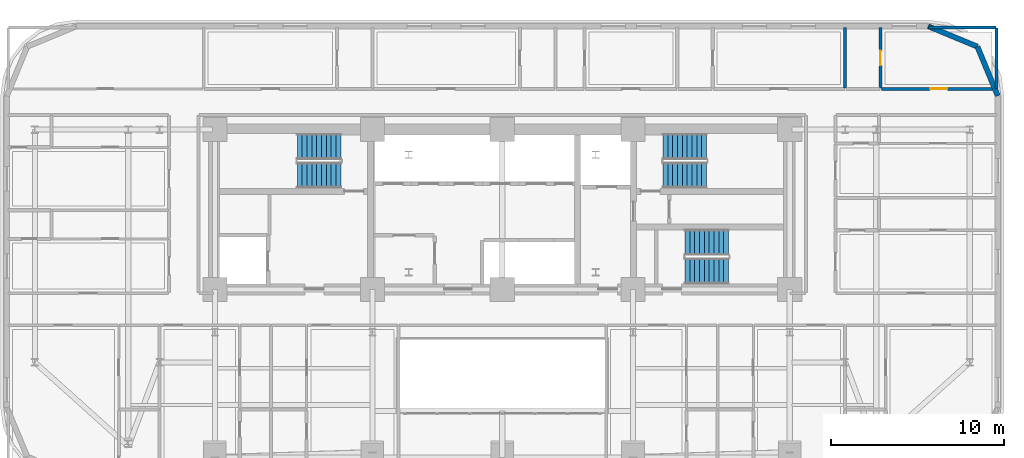
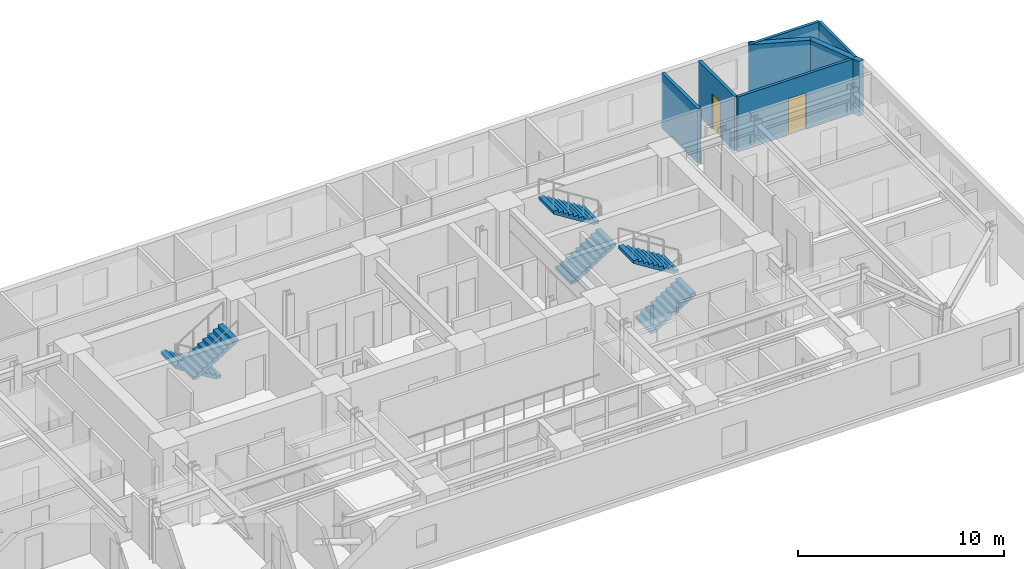
# One storey, part 13 of 16: 7 walls, 6 stair flights, 2 doors, 2 openings, 3 elements without a shape of their own.
"""IFC4 building model written with IfcOpenShell, lengths in metres."""

from ifc_helpers import new_model, si_unit, direction, frame, frame_2d, origin, place, context, subcontext, project, spatial, polyline, rectangle, outline, extrude, material, layer, layer_set, type_object, element, fill, aggregate, save


model = new_model("IFC4")

# Units and contexts
model_context = context("Model", 3, precision=1e-05, world=origin(), true_north=direction((0.0, 1.0)))
body_context = subcontext(model_context, "Body", "Model", "MODEL_VIEW")
ifc_project = project(units=[si_unit("LENGTHUNIT", "METRE"), si_unit("AREAUNIT", "SQUARE_METRE"), si_unit("VOLUMEUNIT", "CUBIC_METRE"), si_unit("PLANEANGLEUNIT", "RADIAN"), si_unit("MASSUNIT", "GRAM", prefix="KILO")], contexts=[model_context])

# Site, building, storey
site_placement = place(None, origin())
site = spatial("IfcSite", under=ifc_project, at=site_placement, CompositionType="ELEMENT")
building_placement = place(site_placement, origin())
building = spatial("IfcBuilding", under=site, at=building_placement, Name="Zarnavel Station Tower", CompositionType="ELEMENT")
storey_placement = place(building_placement, frame((0.0, 0.0, 86.300048828125)))
storey = spatial("IfcBuildingStorey", under=building, at=storey_placement, Name="L23", CompositionType="ELEMENT", Elevation=86.300048828125)

# Walls
ifc_material_1 = material(Name="Precast concrete C45/55 (Dark Basalt Finish)", Category="masonry")
ifc_layer_1 = layer(ifc_material_1, 0.300048828125)
ifc_layer_set_1 = layer_set([ifc_layer_1], Name="EW_BASALT_300")
wall_type_1 = type_object("IfcWallType", Name="EW_BASALT_300", PredefinedType="SOLIDWALL", material=ifc_layer_set_1)
wall_1_placement = place(storey_placement, frame((56.24267578125, 41.842529296875, 0.0), z_axis=(0.0, 0.0, 1.0), x_axis=(0.382636798336, -0.92389884758, 0.0)))
element("IfcWall", 1, at=wall_1_placement, inside=storey, type_object=wall_type_1, Name="L23 Exterior Basalt Masonry Frame Wall 04", PredefinedType="SOLIDWALL", context=body_context, shape_type="SweptSolid", body=[
    extrude(rectangle(XDim=3.07666015625, YDim=0.300048828125, at=frame_2d((1.538330078125, 0.0))), origin(), (0.0, 0.0, 1.0), 3.239990234375),
])
wall_2_placement = place(storey_placement, frame((53.39990234375, 43.02001953125, 0.0), z_axis=(0.0, 0.0, 1.0), x_axis=(0.923882414032, -0.382676475685, 0.0)))
element("IfcWall", 2, at=wall_2_placement, inside=storey, type_object=wall_type_1, Name="L23 Exterior Basalt Masonry Frame Wall 05", PredefinedType="SOLIDWALL", context=body_context, shape_type="SweptSolid", body=[
    extrude(rectangle(XDim=3.076904296875, YDim=0.300048828125, at=frame_2d((1.53857421875, 0.0))), origin(), (0.0, 0.0, 1.0), 3.239990234375),
])

# Wall, opening, door
ifc_material_2 = material(Name="Gypsum Twin-Stud Acoustic Fire Partition", Category="concrete")
ifc_layer_2 = layer(ifc_material_2, 0.159912109375)
ifc_layer_set_2 = layer_set([ifc_layer_2], Name="PT_DEMISE_160")
wall_type_2 = type_object("IfcWallType", Name="PT_DEMISE_160", PredefinedType="PARTITIONING", material=ifc_layer_set_2)
wall_3_placement = place(storey_placement, frame((50.68994140625, 39.39990234375, 0.0), z_axis=(0.0, 0.0, 1.0), x_axis=(1.0, 0.0, 0.0)))
wall_3 = element("IfcWall", 3, at=wall_3_placement, inside=storey, type_object=wall_type_2, Name="L23 Partition COR-N-HN5R", PredefinedType="PARTITIONING", context=body_context, shape_type="SweptSolid", body=[
    extrude(rectangle(XDim=6.650146484375, YDim=0.159912109375, at=frame_2d((3.3251953125, 0.0))), origin(), (0.0, 0.0, 1.0), 3.239990234375),
])
opening_1_placement = place(wall_3_placement, frame((2.824951171875, 0.0, 0.0)))
opening_1 = element("IfcOpeningElement", 4, at=opening_1_placement, cuts=wall_3, Name="Opening FD02", PredefinedType="OPENING", context=body_context, shape_type="SweptSolid", body=[
    extrude(rectangle(XDim=1.0, YDim=2.14990234375, at=frame_2d((0.5, 1.074951171875))), frame((0.0, 0.08984375, 0.0), z_axis=(0.0, -1.0, 0.0), x_axis=(1.0, 0.0, 0.0)), (0.0, 0.0, 1.0), 0.179931640625),
])
ifc_material_3 = material(Name="Painted Galvanised Steel and Hardwood Leaf", Category="steel")
door_type_1 = type_object("IfcDoorType", Name="ID_ENTRY_1000", OperationType="NOTDEFINED", PredefinedType="DOOR", material=ifc_material_3)
door_1_placement = place(opening_1_placement, origin())
door_1 = element("IfcDoor", 5, at=door_1_placement, inside=storey, type_object=door_type_1, Name="L23 Door COR-N-HN5R", OperationType="SINGLE_SWING_RIGHT", OverallHeight=2.14990234375, OverallWidth=1.0, PredefinedType="DOOR", context=body_context, shape_type="SweptSolid", body=[
    extrude(rectangle(XDim=1.0, YDim=2.14990234375, at=frame_2d((0.5, 1.074951171875))), frame((0.0, 0.02490234375, 0.0), z_axis=(0.0, -1.0, 0.0), x_axis=(1.0, 0.0, 0.0)), (0.0, 0.0, 1.0), 0.050048828125),
])
fill(opening_1, door_1)

# Walls
wall_4_placement = place(storey_placement, frame((53.429931640625, 42.93994140625, 0.0), z_axis=(0.0, 0.0, 1.0), x_axis=(1.0, 0.0, 0.0)))
element("IfcWall", 6, at=wall_4_placement, inside=storey, type_object=wall_type_2, Name="L23 Enclosure Wall HN5R", PredefinedType="PARTITIONING", context=body_context, shape_type="SweptSolid", body=[
    extrude(rectangle(XDim=3.880126953125, YDim=0.159912109375, at=frame_2d((1.93994140625, 0.0))), origin(), (0.0, 0.0, 1.0), 3.239990234375),
])
wall_5_placement = place(storey_placement, frame((57.340087890625, 39.429931640625, 0.0), z_axis=(0.0, 0.0, 1.0), x_axis=(0.0, 1.0, 0.0)))
element("IfcWall", 7, at=wall_5_placement, inside=storey, type_object=wall_type_2, Name="L23 Enclosure Wall HN5R", PredefinedType="PARTITIONING", context=body_context, shape_type="SweptSolid", body=[
    extrude(rectangle(XDim=3.47998046875, YDim=0.159912109375, at=frame_2d((1.739990234375, 0.0))), origin(), (0.0, 0.0, 1.0), 3.239990234375),
])
ifc_material_4 = material(Name="Moisture-Resistant Plumbing Chase Wall", Category="concrete")
ifc_layer_3 = layer(ifc_material_4, 0.179931640625)
ifc_layer_set_3 = layer_set([ifc_layer_3], Name="PW_PLUMB_180")
wall_type_3 = type_object("IfcWallType", Name="PW_PLUMB_180", PredefinedType="PLUMBINGWALL", material=ifc_layer_set_3)
wall_6_placement = place(storey_placement, frame((48.60009765625, 39.43994140625, 0.0), z_axis=(0.0, 0.0, 1.0), x_axis=(0.0, 1.0, 0.0)))
element("IfcWall", 8, at=wall_6_placement, inside=storey, type_object=wall_type_3, Name="L23 Partition HN4R-HN5B", PredefinedType="PLUMBINGWALL", context=body_context, shape_type="SweptSolid", body=[
    extrude(rectangle(XDim=3.5, YDim=0.179931640625, at=frame_2d((1.75, 0.0))), origin(), (0.0, 0.0, 1.0), 3.239990234375),
])

# Wall, opening, door
wall_7_placement = place(storey_placement, frame((50.64990234375, 39.43994140625, 0.0), z_axis=(0.0, 0.0, 1.0), x_axis=(0.0, 1.0, 0.0)))
wall_7 = element("IfcWall", 9, at=wall_7_placement, inside=storey, type_object=wall_type_3, Name="L23 Partition HN5R-HN5B", PredefinedType="PLUMBINGWALL", context=body_context, shape_type="SweptSolid", body=[
    extrude(rectangle(XDim=3.5, YDim=0.179931640625, at=frame_2d((1.75, 0.0))), origin(), (0.0, 0.0, 1.0), 3.239990234375),
])
opening_2_placement = place(wall_7_placement, frame((1.324951171875, 0.0, 0.0)))
opening_2 = element("IfcOpeningElement", 10, at=opening_2_placement, cuts=wall_7, Name="Opening ID02", PredefinedType="OPENING", context=body_context, shape_type="SweptSolid", body=[
    extrude(rectangle(XDim=0.85009765625, YDim=2.10009765625, at=frame_2d((0.425048828125, 1.050048828125))), frame((0.0, 0.099853515625, 0.0), z_axis=(0.0, -1.0, 0.0), x_axis=(1.0, 0.0, 0.0)), (0.0, 0.0, 1.0), 0.199951171875),
])
ifc_material_5 = material(Name="Painted Galvanised Steel and Hardwood Leaf", Category="steel")
door_type_2 = type_object("IfcDoorType", Name="ID_BATH_850", OperationType="NOTDEFINED", PredefinedType="DOOR", material=ifc_material_5)
door_2_placement = place(opening_2_placement, origin())
door_2 = element("IfcDoor", 11, at=door_2_placement, inside=storey, type_object=door_type_2, Name="L23 Door HN5R-HN5B", OperationType="SINGLE_SWING_LEFT", OverallHeight=2.10009765625, OverallWidth=0.85009765625, PredefinedType="DOOR", context=body_context, shape_type="SweptSolid", body=[
    extrude(rectangle(XDim=0.85009765625, YDim=2.10009765625, at=frame_2d((0.425048828125, 1.050048828125))), frame((0.0, 0.02490234375, 0.0), z_axis=(0.0, -1.0, 0.0), x_axis=(1.0, 0.0, 0.0)), (0.0, 0.0, 1.0), 0.050048828125),
])
fill(opening_2, door_2)

# Stair, stair flights
ifc_material_6 = material(Name="Concrete C45/55", Category="concrete")
stair_type = type_object("IfcStairType", Name="ST_CORE_150", PredefinedType="HALF_TURN_STAIR", material=ifc_material_6)
stair_1_placement = place(storey_placement, origin())
stair_1 = element("IfcStair", 12, at=stair_1_placement, inside=storey, type_object=stair_type, Name="L23 Core Exit Stair ST1", PredefinedType="HALF_TURN_STAIR")
ifc_material_7 = material(Name="Concrete C45/55", Category="concrete")
ifc_layer_4 = layer(ifc_material_7, 0.179931640625)
ifc_layer_set_4 = layer_set([ifc_layer_4], Name="ST_CORE_150_FLT")
stair_flight_type = type_object("IfcStairFlightType", Name="ST_CORE_150_FLT", PredefinedType="STRAIGHT", material=ifc_layer_set_4)
stair_flight_1_placement = place(storey_placement, frame((19.47998046875, 36.070068359375, 0.0), z_axis=(0.0, 0.0, 1.0), x_axis=(-1.0, 0.0, 0.0)))
stair_flight_1 = element("IfcStairFlight", 13, at=stair_flight_1_placement, type_object=stair_flight_type, Name="ST1 flight 1", NumberOfRisers=10, NumberOfTreads=9, PredefinedType="STRAIGHT", RiserHeight=0.175, TreadLength=0.28, context=body_context, shape_type="SweptSolid", body=[
    extrude(outline(polyline([(0.0, 0.0), (0.0, 0.175048828125), (0.280029296875, 0.175048828125), (0.280029296875, 0.35009765625), (0.56005859375, 0.35009765625), (0.56005859375, 0.52490234375), (0.840087890625, 0.52490234375), (0.840087890625, 0.699951171875), (1.1201171875, 0.699951171875), (1.1201171875, 0.875), (1.39990234375, 0.875), (1.39990234375, 1.050048828125), (1.679931640625, 1.050048828125), (1.679931640625, 1.22509765625), (1.9599609375, 1.22509765625), (1.9599609375, 1.39990234375), (2.239990234375, 1.39990234375), (2.239990234375, 1.574951171875), (2.52001953125, 1.574951171875), (2.52001953125, 1.75), (2.52001953125, 1.398193359375), (0.28271484375, 0.0), (0.0, 0.0)])), frame((0.0, 0.75, 0.0), z_axis=(0.0, -1.0, 0.0), x_axis=(1.0, 0.0, 0.0)), (0.0, 0.0, 1.0), 1.5),
])
stair_flight_2_placement = place(storey_placement, frame((16.9599609375, 34.409912109375, 1.75), z_axis=(0.0, 0.0, 1.0), x_axis=(1.0, 0.0, 0.0)))
stair_flight_2 = element("IfcStairFlight", 14, at=stair_flight_2_placement, type_object=stair_flight_type, Name="ST1 flight 2", NumberOfRisers=10, NumberOfTreads=9, PredefinedType="STRAIGHT", RiserHeight=0.175, TreadLength=0.28, context=body_context, shape_type="SweptSolid", body=[
    extrude(outline(polyline([(0.0, 0.0), (0.0, 0.175048828125), (0.280029296875, 0.175048828125), (0.280029296875, 0.35009765625), (0.56005859375, 0.35009765625), (0.56005859375, 0.52490234375), (0.840087890625, 0.52490234375), (0.840087890625, 0.699951171875), (1.1201171875, 0.699951171875), (1.1201171875, 0.875), (1.39990234375, 0.875), (1.39990234375, 1.050048828125), (1.679931640625, 1.050048828125), (1.679931640625, 1.22509765625), (1.9599609375, 1.22509765625), (1.9599609375, 1.39990234375), (2.239990234375, 1.39990234375), (2.239990234375, 1.574951171875), (2.52001953125, 1.574951171875), (2.52001953125, 1.75), (2.52001953125, 1.398193359375), (0.28271484375, 0.0), (0.0, 0.0)])), frame((0.0, 0.75, 0.0), z_axis=(0.0, -1.0, 0.0), x_axis=(1.0, 0.0, 0.0)), (0.0, 0.0, 1.0), 1.5),
])
aggregate(stair_1, [stair_flight_1, stair_flight_2])

stair_2_placement = place(storey_placement, origin())
stair_2 = element("IfcStair", 15, at=stair_2_placement, inside=storey, type_object=stair_type, Name="L23 Core Exit Stair ST2", PredefinedType="HALF_TURN_STAIR")
stair_flight_3_placement = place(storey_placement, frame((38.080078125, 34.409912109375, 0.0), z_axis=(0.0, 0.0, 1.0), x_axis=(1.0, 0.0, 0.0)))
stair_flight_3 = element("IfcStairFlight", 16, at=stair_flight_3_placement, type_object=stair_flight_type, Name="ST2 flight 1", NumberOfRisers=10, NumberOfTreads=9, PredefinedType="STRAIGHT", RiserHeight=0.175, TreadLength=0.28, context=body_context, shape_type="SweptSolid", body=[
    extrude(outline(polyline([(0.0, 0.0), (0.0, 0.175048828125), (0.280029296875, 0.175048828125), (0.280029296875, 0.35009765625), (0.56005859375, 0.35009765625), (0.56005859375, 0.52490234375), (0.840087890625, 0.52490234375), (0.840087890625, 0.699951171875), (1.1201171875, 0.699951171875), (1.1201171875, 0.875), (1.39990234375, 0.875), (1.39990234375, 1.050048828125), (1.679931640625, 1.050048828125), (1.679931640625, 1.22509765625), (1.9599609375, 1.22509765625), (1.9599609375, 1.39990234375), (2.239990234375, 1.39990234375), (2.239990234375, 1.574951171875), (2.52001953125, 1.574951171875), (2.52001953125, 1.75), (2.52001953125, 1.398193359375), (0.28271484375, 0.0), (0.0, 0.0)])), frame((0.0, 0.75, 0.0), z_axis=(0.0, -1.0, 0.0), x_axis=(1.0, 0.0, 0.0)), (0.0, 0.0, 1.0), 1.5),
])
stair_flight_4_placement = place(storey_placement, frame((40.60009765625, 36.070068359375, 1.75), z_axis=(0.0, 0.0, 1.0), x_axis=(-1.0, 0.0, 0.0)))
stair_flight_4 = element("IfcStairFlight", 17, at=stair_flight_4_placement, type_object=stair_flight_type, Name="ST2 flight 2", NumberOfRisers=10, NumberOfTreads=9, PredefinedType="STRAIGHT", RiserHeight=0.175, TreadLength=0.28, context=body_context, shape_type="SweptSolid", body=[
    extrude(outline(polyline([(0.0, 0.0), (0.0, 0.175048828125), (0.280029296875, 0.175048828125), (0.280029296875, 0.35009765625), (0.56005859375, 0.35009765625), (0.56005859375, 0.52490234375), (0.840087890625, 0.52490234375), (0.840087890625, 0.699951171875), (1.1201171875, 0.699951171875), (1.1201171875, 0.875), (1.39990234375, 0.875), (1.39990234375, 1.050048828125), (1.679931640625, 1.050048828125), (1.679931640625, 1.22509765625), (1.9599609375, 1.22509765625), (1.9599609375, 1.39990234375), (2.239990234375, 1.39990234375), (2.239990234375, 1.574951171875), (2.52001953125, 1.574951171875), (2.52001953125, 1.75), (2.52001953125, 1.398193359375), (0.28271484375, 0.0), (0.0, 0.0)])), frame((0.0, 0.75, 0.0), z_axis=(0.0, -1.0, 0.0), x_axis=(1.0, 0.0, 0.0)), (0.0, 0.0, 1.0), 1.5),
])
aggregate(stair_2, [stair_flight_3, stair_flight_4])

stair_3_placement = place(storey_placement, origin())
stair_3 = element("IfcStair", 18, at=stair_3_placement, inside=storey, type_object=stair_type, Name="L23 Core Exit Stair ST3", PredefinedType="HALF_TURN_STAIR")
stair_flight_5_placement = place(storey_placement, frame((39.35009765625, 28.8701171875, 0.0), z_axis=(0.0, 0.0, 1.0), x_axis=(1.0, 0.0, 0.0)))
stair_flight_5 = element("IfcStairFlight", 19, at=stair_flight_5_placement, type_object=stair_flight_type, Name="ST3 flight 1", NumberOfRisers=10, NumberOfTreads=9, PredefinedType="STRAIGHT", RiserHeight=0.175, TreadLength=0.28, context=body_context, shape_type="SweptSolid", body=[
    extrude(outline(polyline([(0.0, 0.0), (0.0, 0.175048828125), (0.280029296875, 0.175048828125), (0.280029296875, 0.35009765625), (0.56005859375, 0.35009765625), (0.56005859375, 0.52490234375), (0.840087890625, 0.52490234375), (0.840087890625, 0.699951171875), (1.1201171875, 0.699951171875), (1.1201171875, 0.875), (1.39990234375, 0.875), (1.39990234375, 1.050048828125), (1.679931640625, 1.050048828125), (1.679931640625, 1.22509765625), (1.9599609375, 1.22509765625), (1.9599609375, 1.39990234375), (2.239990234375, 1.39990234375), (2.239990234375, 1.574951171875), (2.52001953125, 1.574951171875), (2.52001953125, 1.75), (2.52001953125, 1.398193359375), (0.28271484375, 0.0), (0.0, 0.0)])), frame((0.0, 0.75, 0.0), z_axis=(0.0, -1.0, 0.0), x_axis=(1.0, 0.0, 0.0)), (0.0, 0.0, 1.0), 1.5),
])
stair_flight_6_placement = place(storey_placement, frame((41.8701171875, 30.530029296875, 1.75), z_axis=(0.0, 0.0, 1.0), x_axis=(-1.0, 0.0, 0.0)))
stair_flight_6 = element("IfcStairFlight", 20, at=stair_flight_6_placement, type_object=stair_flight_type, Name="ST3 flight 2", NumberOfRisers=10, NumberOfTreads=9, PredefinedType="STRAIGHT", RiserHeight=0.175, TreadLength=0.28, context=body_context, shape_type="SweptSolid", body=[
    extrude(outline(polyline([(0.0, 0.0), (0.0, 0.175048828125), (0.280029296875, 0.175048828125), (0.280029296875, 0.35009765625), (0.56005859375, 0.35009765625), (0.56005859375, 0.52490234375), (0.840087890625, 0.52490234375), (0.840087890625, 0.699951171875), (1.1201171875, 0.699951171875), (1.1201171875, 0.875), (1.39990234375, 0.875), (1.39990234375, 1.050048828125), (1.679931640625, 1.050048828125), (1.679931640625, 1.22509765625), (1.9599609375, 1.22509765625), (1.9599609375, 1.39990234375), (2.239990234375, 1.39990234375), (2.239990234375, 1.574951171875), (2.52001953125, 1.574951171875), (2.52001953125, 1.75), (2.52001953125, 1.398193359375), (0.28271484375, 0.0), (0.0, 0.0)])), frame((0.0, 0.75, 0.0), z_axis=(0.0, -1.0, 0.0), x_axis=(1.0, 0.0, 0.0)), (0.0, 0.0, 1.0), 1.5),
])
aggregate(stair_3, [stair_flight_5, stair_flight_6])

save(model, "model.ifc")
